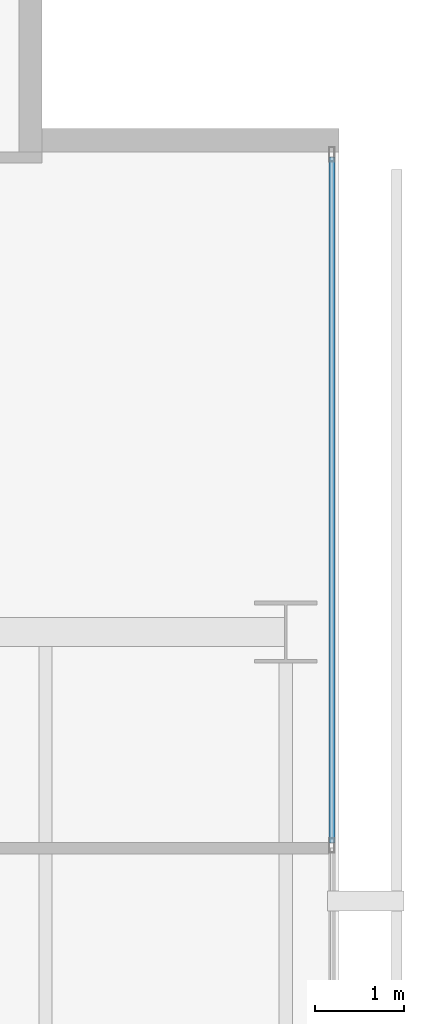
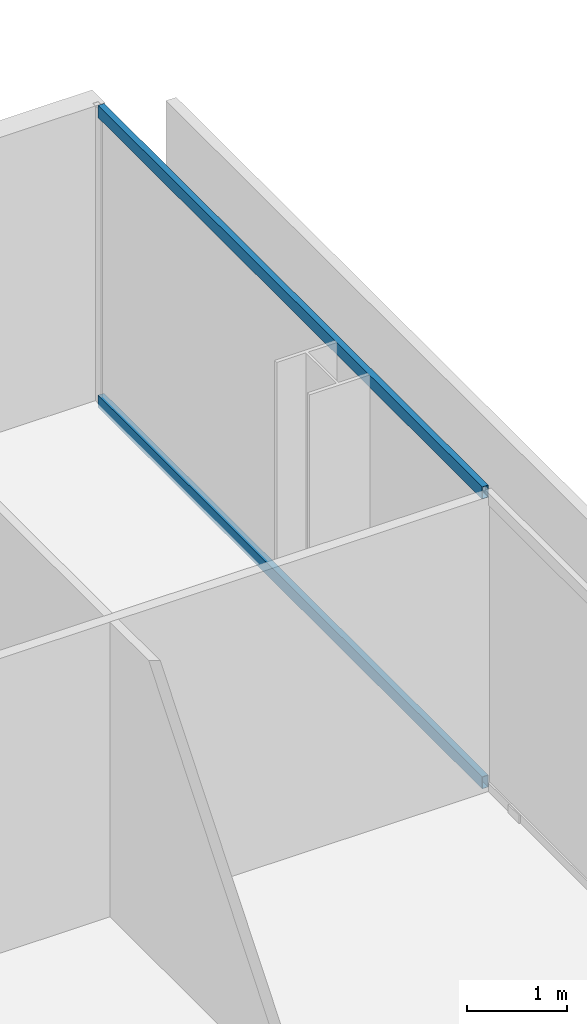
# One storey, part 29 of 40: 2 members, 1 element without a shape of its own.
"""IFC4 building model written with IfcOpenShell, lengths in metres."""

from ifc_helpers import new_model, si_unit, direction, frame, origin, origin_2d, place, context, subcontext, project, spatial, hollow_rectangle, extrude, material, layer, layer_set, material_profile, profile_set, type_object, element, aggregate, save


model = new_model("IFC4")

# Units and contexts
model_context = context("Model", 3, precision=1e-05, world=origin(), true_north=direction((0.0, 1.0)))
body_context = subcontext(model_context, "Body", "Model", "MODEL_VIEW")
ifc_project = project(units=[si_unit("LENGTHUNIT", "METRE"), si_unit("AREAUNIT", "SQUARE_METRE"), si_unit("VOLUMEUNIT", "CUBIC_METRE"), si_unit("PLANEANGLEUNIT", "RADIAN"), si_unit("MASSUNIT", "GRAM", prefix="KILO")], contexts=[model_context])

# Site, building, storey
site_placement = place(None, origin())
site = spatial("IfcSite", under=ifc_project, at=site_placement, CompositionType="ELEMENT")
building_placement = place(site_placement, origin())
building = spatial("IfcBuilding", under=site, at=building_placement, Name="Maruvema Waterfront Hotel and Observation Tower", CompositionType="ELEMENT")
storey_placement = place(building_placement, frame((0.0, 0.0, 92.39990234375)))
storey = spatial("IfcBuildingStorey", under=building, at=storey_placement, Name="L22", CompositionType="ELEMENT", Elevation=92.39990234375)

# Curtain wall, members
ifc_material_1 = material(Name="Anodised bronze aluminium and solar-control low-E IGU", Category="aluminium")
ifc_layer = layer(ifc_material_1, 0.159912109375, Name="Zone 1 Bronze Inner Thermal Curtain Wall System CW-02")
ifc_layer_set = layer_set([ifc_layer], Name="Anodised bronze aluminium and solar-control low-E IGU")
curtain_wall_type = type_object("IfcCurtainWallType", Name="Zone 1 Bronze Inner Thermal Curtain Wall System CW-02", PredefinedType="USERDEFINED", material=ifc_layer_set)
curtain_wall_placement = place(storey_placement, origin())
curtain_wall = element("IfcCurtainWall", 1, at=curtain_wall_placement, inside=storey, type_object=curtain_wall_type, Name="L22 Curtain Wall CW-L22-E", ObjectType="UNITISED CURTAIN WALL", PredefinedType="USERDEFINED")
ifc_material_2 = material(Name="Anodised architectural bronze aluminium", Category="aluminium")
ifc_material_profile = material_profile(ifc_material_2, hollow_rectangle(XDim=0.070068359375, YDim=0.14990234375, WallThickness=0.00390625, at=origin_2d()), Name="ALU-T70x150")
ifc_profile_set = profile_set([ifc_material_profile], Name="Anodised architectural bronze aluminium")
member_type = type_object("IfcMemberType", Name="Curtain Wall Horizontal Transom ALU-T70x150", PredefinedType="USERDEFINED", material=ifc_profile_set)
member_1_placement = place(storey_placement, frame((64.719970703125, 42.6298828125, 0.030029296875), z_axis=(0.0, 1.0, 0.0), x_axis=(-1.0, 0.0, 0.0)))
member_1 = element("IfcMember", 2, at=member_1_placement, type_object=member_type, Name="CW-02 transom 6.1", ObjectType="TRANSOM", PredefinedType="USERDEFINED", context=body_context, shape_type="SweptSolid", body=[
    extrude(hollow_rectangle(XDim=0.070068359375, YDim=0.14990234375, WallThickness=0.00390625, at=origin_2d()), origin(), (0.0, 0.0, 1.0), 7.710205078125),
])
member_2_placement = place(storey_placement, frame((64.719970703125, 42.6298828125, 3.580078125), z_axis=(0.0, 1.0, 0.0), x_axis=(-1.0, 0.0, 0.0)))
member_2 = element("IfcMember", 3, at=member_2_placement, type_object=member_type, Name="CW-02 transom 6.2", ObjectType="TRANSOM", PredefinedType="USERDEFINED", context=body_context, shape_type="SweptSolid", body=[
    extrude(hollow_rectangle(XDim=0.070068359375, YDim=0.14990234375, WallThickness=0.00390625, at=origin_2d()), origin(), (0.0, 0.0, 1.0), 7.710205078125),
])
aggregate(curtain_wall, [member_1, member_2])

save(model, "model.ifc")
